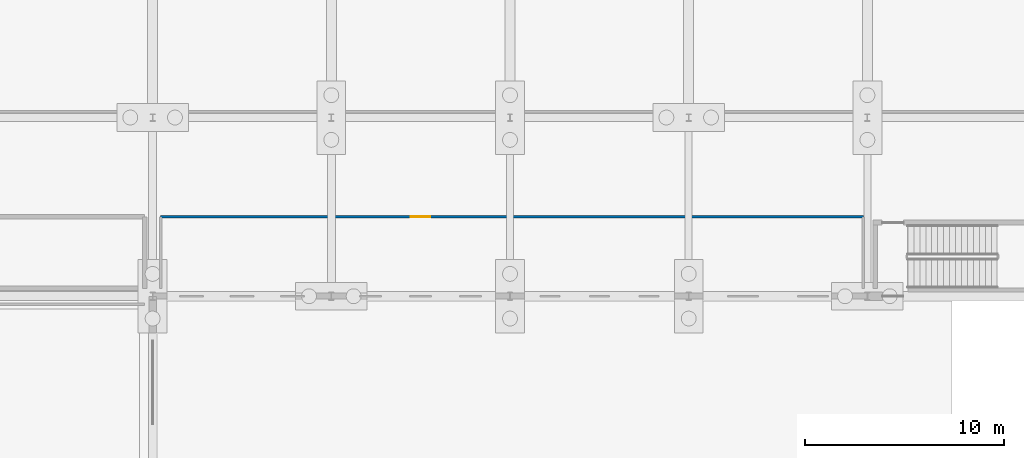
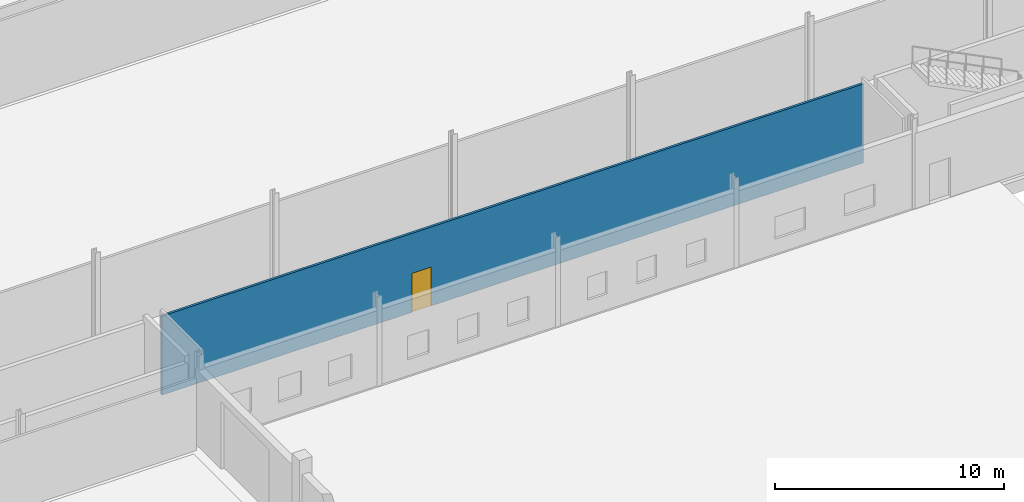
# One storey, part 74 of 112: 1 door, 1 wall, 1 opening.
"""IFC4 building model written with IfcOpenShell, lengths in metres."""

from ifc_helpers import new_model, si_unit, direction, frame, frame_2d, origin, place, context, subcontext, project, spatial, rectangle, extrude, material, layer, layer_set, type_object, element, fill, save


model = new_model("IFC4")

# Units and contexts
model_context = context("Model", 3, precision=1e-05, world=origin(), true_north=direction((0.0, 1.0)))
body_context = subcontext(model_context, "Body", "Model", "MODEL_VIEW")
ifc_project = project(units=[si_unit("LENGTHUNIT", "METRE"), si_unit("AREAUNIT", "SQUARE_METRE"), si_unit("VOLUMEUNIT", "CUBIC_METRE"), si_unit("PLANEANGLEUNIT", "RADIAN"), si_unit("MASSUNIT", "GRAM", prefix="KILO")], contexts=[model_context])

# Site, building, storey
site_placement = place(None, origin())
site = spatial("IfcSite", under=ifc_project, at=site_placement, CompositionType="ELEMENT")
building_placement = place(site_placement, origin())
building = spatial("IfcBuilding", under=site, at=building_placement, Name="Tharagai Park Tramway Depot", CompositionType="ELEMENT")
storey_placement = place(building_placement, origin())
storey = spatial("IfcBuildingStorey", under=building, at=storey_placement, Name="L00", CompositionType="ELEMENT", Elevation=0.0)

# Wall, opening, door
ifc_material_1 = material(Name="Gypsum board", Category="gypsum")
ifc_layer = layer(ifc_material_1, 0.1201171875)
ifc_layer_set = layer_set([ifc_layer], Name="Gypsum board")
wall_type = type_object("IfcWallType", Name="IW-03", PredefinedType="PARTITIONING", material=ifc_layer_set)
wall_placement = place(storey_placement, frame((90.39990234375, 94.0, 0.0), z_axis=(0.0, 0.0, 1.0), x_axis=(1.0, 0.0, 0.0)))
wall = element("IfcWall", 1, at=wall_placement, inside=storey, type_object=wall_type, Name="Shunters Cabin and Track Isolation Room Partition North", PredefinedType="PARTITIONING", context=body_context, shape_type="SweptSolid", body=[
    extrude(rectangle(XDim=35.400146484375, YDim=0.1201171875, at=frame_2d((17.7001953125, 0.0))), origin(), (0.0, 0.0, 1.0), 4.215087890625),
])
opening_placement = place(wall_placement, frame((12.610107421875, 0.0, 0.0)))
opening = element("IfcOpeningElement", 2, at=opening_placement, cuts=wall, Name="Opening ID-02", PredefinedType="OPENING", context=body_context, shape_type="SweptSolid", body=[
    extrude(rectangle(XDim=0.97998046875, YDim=2.080078125, at=frame_2d((0.489990234375, 1.0400390625))), frame((0.0, 0.070068359375, 0.0), z_axis=(0.0, -1.0, 0.0), x_axis=(1.0, 0.0, 0.0)), (0.0, 0.0, 1.0), 0.14013671875),
])
ifc_material_2 = material(Name="Pressed timber", Category="wood")
door_type = type_object("IfcDoorType", Name="ID-02", OperationType="NOTDEFINED", PredefinedType="DOOR", material=ifc_material_2)
door_placement = place(opening_placement, origin())
door = element("IfcDoor", 3, at=door_placement, inside=storey, type_object=door_type, Name="Shunters Cabin and Track Isolation Room Door", OperationType="SINGLE_SWING_RIGHT", OverallHeight=2.080078125, OverallWidth=0.97998046875, PredefinedType="DOOR", context=body_context, shape_type="SweptSolid", body=[
    extrude(rectangle(XDim=0.97998046875, YDim=2.080078125, at=frame_2d((0.489990234375, 1.0400390625))), frame((0.0, 0.02490234375, 0.0), z_axis=(0.0, -1.0, 0.0), x_axis=(1.0, 0.0, 0.0)), (0.0, 0.0, 1.0), 0.050048828125),
])
fill(opening, door)

save(model, "model.ifc")
